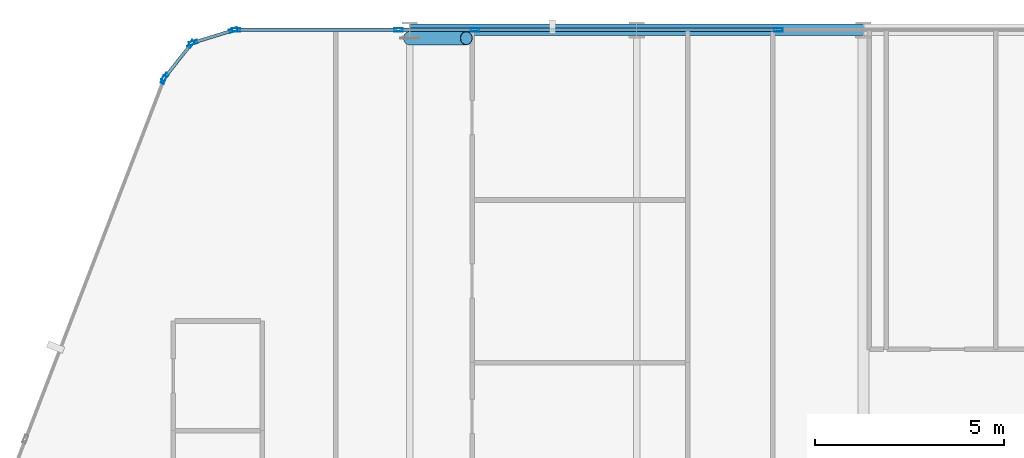
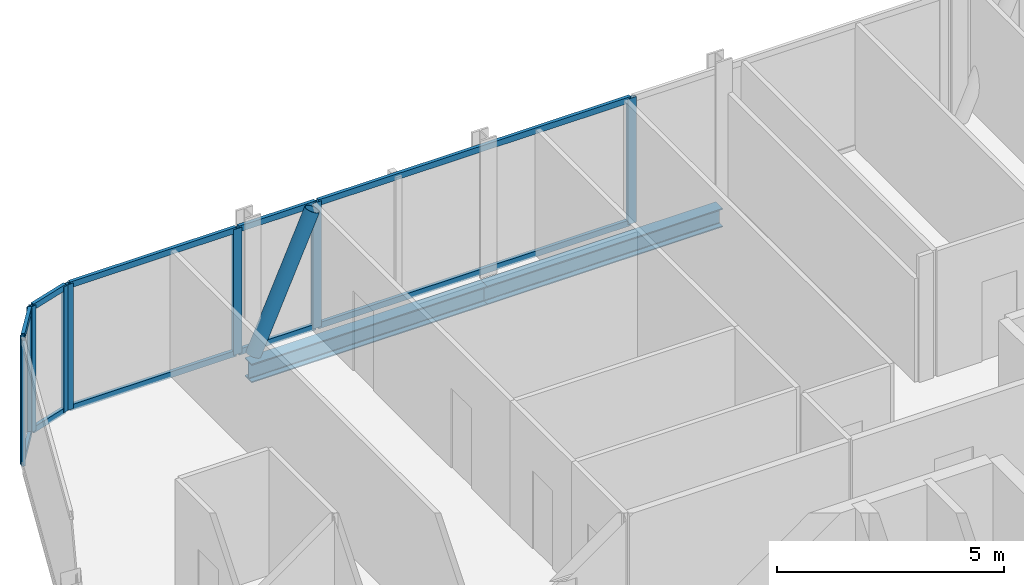
# One storey, part 13 of 35: 20 members, 2 beams, 6 elements without a shape of their own.
"""IFC4 building model written with IfcOpenShell, lengths in metres."""

from ifc_helpers import new_model, si_unit, direction, frame, origin, origin_2d, place, context, subcontext, project, spatial, hollow_rectangle, hollow_circle, i_section, extrude, material, layer, layer_set, material_profile, profile_set, type_object, element, aggregate, save


model = new_model("IFC4")

# Units and contexts
model_context = context("Model", 3, precision=1e-05, world=origin(), true_north=direction((0.0, 1.0)))
body_context = subcontext(model_context, "Body", "Model", "MODEL_VIEW")
ifc_project = project(units=[si_unit("LENGTHUNIT", "METRE"), si_unit("AREAUNIT", "SQUARE_METRE"), si_unit("VOLUMEUNIT", "CUBIC_METRE"), si_unit("PLANEANGLEUNIT", "RADIAN"), si_unit("MASSUNIT", "GRAM", prefix="KILO")], contexts=[model_context])

# Site, building, storey
site_placement = place(None, origin())
site = spatial("IfcSite", under=ifc_project, at=site_placement, CompositionType="ELEMENT")
building_placement = place(site_placement, origin())
building = spatial("IfcBuilding", under=site, at=building_placement, Name="Keshet Zoharim Tower", CompositionType="ELEMENT")
storey_placement = place(building_placement, frame((0.0, 0.0, 24.0)))
storey = spatial("IfcBuildingStorey", under=building, at=storey_placement, Name="L04", CompositionType="ELEMENT", Elevation=24.0)

# Beams
ifc_material_1 = material(Name="Steel S355", Category="steel")
ifc_material_profile_1 = material_profile(ifc_material_1, i_section(OverallWidth=0.300048828125, OverallDepth=0.5, WebThickness=0.014404296875, FlangeThickness=0.028076171875, FilletRadius=0.027099609375, at=origin_2d()), Name="HEB500")
ifc_profile_set_1 = profile_set([ifc_material_profile_1], Name="Steel S355")
beam_type = type_object("IfcBeamType", Name="BM-WEB-HB500", PredefinedType="BEAM", material=ifc_profile_set_1)
for number, where, z_axis, x_axis, name in (
    (1, (21.0, 53.89990234375, -0.56494140625), (1.0, 0.0, 0.0), (0.0, 1.0, 0.0), "L04 Primary Girder X-029"),
    (2, (27.0, 53.89990234375, -0.56494140625), (1.0, 0.0, 0.0), (0.0, 1.0, 0.0), "L04 Primary Girder X-030"),
):
    element("IfcBeam", number, at=place(storey_placement, frame(where, z_axis=z_axis, x_axis=x_axis)), inside=storey, type_object=beam_type, Name=name, PredefinedType="BEAM", context=body_context, shape_type="SweptSolid", body=[
        extrude(i_section(OverallWidth=0.300048828125, OverallDepth=0.5, WebThickness=0.014404296875, FlangeThickness=0.028076171875, FilletRadius=0.027099609375, at=origin_2d()), origin(), (0.0, 0.0, 1.0), 6.0),
    ])

# Curtain wall, member
ifc_material_2 = material(Name="Aluminium 6063-T6", Category="aluminium")
ifc_layer_1 = layer(ifc_material_2, 0.179931640625)
ifc_layer_set_1 = layer_set([ifc_layer_1], Name="Aluminium 6063-T6")
curtain_wall_type_1 = type_object("IfcCurtainWallType", Name="CW-SYS-01", PredefinedType="NOTDEFINED", material=ifc_layer_set_1)
curtain_wall_1_placement = place(storey_placement, origin())
curtain_wall_1 = element("IfcCurtainWall", 3, at=curtain_wall_1_placement, inside=storey, type_object=curtain_wall_type_1, Name="L04 Unitised Curtain Wall 04", PredefinedType="NOTDEFINED")
ifc_material_profile_2 = material_profile(ifc_material_2, hollow_rectangle(XDim=0.090087890625, YDim=0.219970703125, WallThickness=0.0048828125, at=origin_2d()), Name="MUL-90x220")
ifc_profile_set_2 = profile_set([ifc_material_profile_2], Name="Aluminium 6063-T6")
member_type_1 = type_object("IfcMemberType", Name="CWM-M22", PredefinedType="MULLION", material=ifc_profile_set_2)
member_1_placement = place(storey_placement, frame((14.494384765625, 52.58544921875, 0.0), z_axis=(0.0, 0.0, 1.0), x_axis=(-0.933341404361, 0.358990003907, 0.0)))
member_1 = element("IfcMember", 4, at=member_1_placement, type_object=member_type_1, Name="CW-01 mullion 4", PredefinedType="MULLION", context=body_context, shape_type="SweptSolid", body=[
    extrude(hollow_rectangle(XDim=0.090087890625, YDim=0.219970703125, WallThickness=0.0048828125, at=origin_2d()), origin(), (0.0, 0.0, 1.0), 3.385009765625),
])
aggregate(curtain_wall_1, [member_1])

# Curtain wall, members
curtain_wall_2_placement = place(storey_placement, origin())
curtain_wall_2 = element("IfcCurtainWall", 5, at=curtain_wall_2_placement, inside=storey, type_object=curtain_wall_type_1, Name="L04 Unitised Curtain Wall 05", PredefinedType="NOTDEFINED")
member_2_placement = place(storey_placement, frame((14.528564453125, 52.6455078125, 0.0), z_axis=(0.0, 0.0, 1.0), x_axis=(-0.785292825205, 0.619124525989, 0.0)))
member_2 = element("IfcMember", 6, at=member_2_placement, type_object=member_type_1, Name="CW-01 mullion 1", PredefinedType="MULLION", context=body_context, shape_type="SweptSolid", body=[
    extrude(hollow_rectangle(XDim=0.090087890625, YDim=0.219970703125, WallThickness=0.0048828125, at=origin_2d()), origin(), (0.0, 0.0, 1.0), 3.385009765625),
])
member_3_placement = place(storey_placement, frame((15.21923828125, 53.521484375, 0.0), z_axis=(0.0, 0.0, 1.0), x_axis=(-0.785292825205, 0.619124525989, 0.0)))
member_3 = element("IfcMember", 7, at=member_3_placement, type_object=member_type_1, Name="CW-01 mullion 2", PredefinedType="MULLION", context=body_context, shape_type="SweptSolid", body=[
    extrude(hollow_rectangle(XDim=0.090087890625, YDim=0.219970703125, WallThickness=0.0048828125, at=origin_2d()), origin(), (0.0, 0.0, 1.0), 3.385009765625),
])

curtain_wall_3_placement = place(storey_placement, origin())
curtain_wall_3 = element("IfcCurtainWall", 8, at=curtain_wall_3_placement, inside=storey, type_object=curtain_wall_type_1, Name="L04 Unitised Curtain Wall 06", PredefinedType="NOTDEFINED")
member_4_placement = place(storey_placement, frame((15.2744140625, 53.559326171875, 0.0), z_axis=(0.0, 0.0, 1.0), x_axis=(-0.295921857984, 0.955212151288, 0.0)))
member_4 = element("IfcMember", 9, at=member_4_placement, type_object=member_type_1, Name="CW-01 mullion 1", PredefinedType="MULLION", context=body_context, shape_type="SweptSolid", body=[
    extrude(hollow_rectangle(XDim=0.090087890625, YDim=0.219970703125, WallThickness=0.0048828125, at=origin_2d()), origin(), (0.0, 0.0, 1.0), 3.385009765625),
])
member_5_placement = place(storey_placement, frame((16.340576171875, 53.8896484375, 0.0), z_axis=(0.0, 0.0, 1.0), x_axis=(-0.295921857984, 0.955212151288, 0.0)))
member_5 = element("IfcMember", 10, at=member_5_placement, type_object=member_type_1, Name="CW-01 mullion 2", PredefinedType="MULLION", context=body_context, shape_type="SweptSolid", body=[
    extrude(hollow_rectangle(XDim=0.090087890625, YDim=0.219970703125, WallThickness=0.0048828125, at=origin_2d()), origin(), (0.0, 0.0, 1.0), 3.385009765625),
])

ifc_layer_2 = layer(ifc_material_2, 0.169921875)
ifc_layer_set_2 = layer_set([ifc_layer_2], Name="Aluminium 6063-T6")
curtain_wall_type_2 = type_object("IfcCurtainWallType", Name="CW-SYS-02", PredefinedType="NOTDEFINED", material=ifc_layer_set_2)
curtain_wall_4_placement = place(storey_placement, origin())
curtain_wall_4 = element("IfcCurtainWall", 11, at=curtain_wall_4_placement, inside=storey, type_object=curtain_wall_type_2, Name="L04 Unitised Curtain Wall 07", PredefinedType="NOTDEFINED")
member_6_placement = place(storey_placement, frame((16.408935546875, 53.89990234375, 0.0), z_axis=(0.0, 0.0, 1.0), x_axis=(0.0, 1.0, 0.0)))
member_6 = element("IfcMember", 12, at=member_6_placement, type_object=member_type_1, Name="CW-02 mullion 1", PredefinedType="MULLION", context=body_context, shape_type="SweptSolid", body=[
    extrude(hollow_rectangle(XDim=0.090087890625, YDim=0.219970703125, WallThickness=0.0048828125, at=origin_2d()), origin(), (0.0, 0.0, 1.0), 3.385009765625),
])
member_7_placement = place(storey_placement, frame((20.702392578125, 53.89990234375, 0.0), z_axis=(0.0, 0.0, 1.0), x_axis=(0.0, 1.0, 0.0)))
member_7 = element("IfcMember", 13, at=member_7_placement, type_object=member_type_1, Name="CW-02 mullion 2", PredefinedType="MULLION", context=body_context, shape_type="SweptSolid", body=[
    extrude(hollow_rectangle(XDim=0.090087890625, YDim=0.219970703125, WallThickness=0.0048828125, at=origin_2d()), origin(), (0.0, 0.0, 1.0), 3.385009765625),
])

# Curtain wall, member
curtain_wall_5_placement = place(storey_placement, origin())
curtain_wall_5 = element("IfcCurtainWall", 14, at=curtain_wall_5_placement, inside=storey, type_object=curtain_wall_type_2, Name="L04 Unitised Curtain Wall 07 Part 2", PredefinedType="NOTDEFINED")
member_8_placement = place(storey_placement, frame((22.7275390625, 53.89990234375, 0.0), z_axis=(0.0, 0.0, 1.0), x_axis=(0.0, 1.0, 0.0)))
member_8 = element("IfcMember", 15, at=member_8_placement, type_object=member_type_1, Name="CW-02 mullion 2", PredefinedType="MULLION", context=body_context, shape_type="SweptSolid", body=[
    extrude(hollow_rectangle(XDim=0.090087890625, YDim=0.219970703125, WallThickness=0.0048828125, at=origin_2d()), origin(), (0.0, 0.0, 1.0), 3.385009765625),
])

curtain_wall_6_placement = place(storey_placement, origin())
curtain_wall_6 = element("IfcCurtainWall", 16, at=curtain_wall_6_placement, inside=storey, type_object=curtain_wall_type_2, Name="L04 Unitised Curtain Wall 07 Part 3", PredefinedType="NOTDEFINED")
member_9_placement = place(storey_placement, frame((30.75, 53.89990234375, 0.0), z_axis=(0.0, 0.0, 1.0), x_axis=(0.0, 1.0, 0.0)))
member_9 = element("IfcMember", 17, at=member_9_placement, type_object=member_type_1, Name="CW-02 mullion 2", PredefinedType="MULLION", context=body_context, shape_type="SweptSolid", body=[
    extrude(hollow_rectangle(XDim=0.090087890625, YDim=0.219970703125, WallThickness=0.0048828125, at=origin_2d()), origin(), (0.0, 0.0, 1.0), 3.385009765625),
])

# Member
ifc_material_profile_3 = material_profile(ifc_material_2, hollow_rectangle(XDim=0.0849609375, YDim=0.159912109375, WallThickness=0.00439453125, at=origin_2d()), Name="TRN-85x160")
ifc_profile_set_3 = profile_set([ifc_material_profile_3], Name="Aluminium 6063-T6")
member_type_2 = type_object("IfcMemberType", Name="CWT-T16", PredefinedType="USERDEFINED", material=ifc_profile_set_3)
member_10_placement = place(storey_placement, frame((14.55029296875, 52.6728515625, 0.034912109375), z_axis=(0.619099165969, 0.78531281837, 0.0), x_axis=(-0.78531281837, 0.619099165969, 0.0)))
member_10 = element("IfcMember", 18, at=member_10_placement, type_object=member_type_2, Name="CW-01 transom 1.1", ObjectType="TRANSOM", PredefinedType="USERDEFINED", context=body_context, shape_type="SweptSolid", body=[
    extrude(hollow_rectangle(XDim=0.0849609375, YDim=0.159912109375, WallThickness=0.00439453125, at=origin_2d()), origin(), (0.0, 0.0, 1.0), 1.0458984375),
])

member_11_placement = place(storey_placement, frame((14.55029296875, 52.6728515625, 3.35009765625), z_axis=(0.619099165969, 0.78531281837, 0.0), x_axis=(-0.78531281837, 0.619099165969, 0.0)))
member_11 = element("IfcMember", 19, at=member_11_placement, type_object=member_type_2, Name="CW-01 transom 1.2", ObjectType="TRANSOM", PredefinedType="USERDEFINED", context=body_context, shape_type="SweptSolid", body=[
    extrude(hollow_rectangle(XDim=0.0849609375, YDim=0.159912109375, WallThickness=0.00439453125, at=origin_2d()), origin(), (0.0, 0.0, 1.0), 1.0458984375),
])

aggregate(curtain_wall_2, [member_2, member_3, member_10, member_11])

member_12_placement = place(storey_placement, frame((15.307861328125, 53.56982421875, 0.034912109375), z_axis=(0.955212093062, 0.295922045933, 0.0), x_axis=(-0.295922045933, 0.955212093062, 0.0)))
member_12 = element("IfcMember", 20, at=member_12_placement, type_object=member_type_2, Name="CW-01 transom 1.1", ObjectType="TRANSOM", PredefinedType="USERDEFINED", context=body_context, shape_type="SweptSolid", body=[
    extrude(hollow_rectangle(XDim=0.0849609375, YDim=0.159912109375, WallThickness=0.00439453125, at=origin_2d()), origin(), (0.0, 0.0, 1.0), 1.046142578125),
])

member_13_placement = place(storey_placement, frame((15.307861328125, 53.56982421875, 3.35009765625), z_axis=(0.955212093062, 0.295922045933, 0.0), x_axis=(-0.295922045933, 0.955212093062, 0.0)))
member_13 = element("IfcMember", 21, at=member_13_placement, type_object=member_type_2, Name="CW-01 transom 1.2", ObjectType="TRANSOM", PredefinedType="USERDEFINED", context=body_context, shape_type="SweptSolid", body=[
    extrude(hollow_rectangle(XDim=0.0849609375, YDim=0.159912109375, WallThickness=0.00439453125, at=origin_2d()), origin(), (0.0, 0.0, 1.0), 1.046142578125),
])

aggregate(curtain_wall_3, [member_4, member_5, member_12, member_13])

member_14_placement = place(storey_placement, frame((16.444091796875, 53.89990234375, 0.034912109375), z_axis=(1.0, 0.0, 0.0), x_axis=(0.0, 1.0, 0.0)))
member_14 = element("IfcMember", 22, at=member_14_placement, type_object=member_type_2, Name="CW-02 transom 1.1", ObjectType="TRANSOM", PredefinedType="USERDEFINED", context=body_context, shape_type="SweptSolid", body=[
    extrude(hollow_rectangle(XDim=0.0849609375, YDim=0.159912109375, WallThickness=0.00439453125, at=origin_2d()), origin(), (0.0, 0.0, 1.0), 4.223388671875),
])

member_15_placement = place(storey_placement, frame((16.444091796875, 53.89990234375, 3.35009765625), z_axis=(1.0, 0.0, 0.0), x_axis=(0.0, 1.0, 0.0)))
member_15 = element("IfcMember", 23, at=member_15_placement, type_object=member_type_2, Name="CW-02 transom 1.2", ObjectType="TRANSOM", PredefinedType="USERDEFINED", context=body_context, shape_type="SweptSolid", body=[
    extrude(hollow_rectangle(XDim=0.0849609375, YDim=0.159912109375, WallThickness=0.00439453125, at=origin_2d()), origin(), (0.0, 0.0, 1.0), 4.223388671875),
])

aggregate(curtain_wall_4, [member_6, member_7, member_14, member_15])

member_16_placement = place(storey_placement, frame((20.7373046875, 53.89990234375, 0.034912109375), z_axis=(1.0, 0.0, 0.0), x_axis=(0.0, 1.0, 0.0)))
member_16 = element("IfcMember", 24, at=member_16_placement, type_object=member_type_2, Name="CW-02 transom 1.1", ObjectType="TRANSOM", PredefinedType="USERDEFINED", context=body_context, shape_type="SweptSolid", body=[
    extrude(hollow_rectangle(XDim=0.0849609375, YDim=0.159912109375, WallThickness=0.00439453125, at=origin_2d()), origin(), (0.0, 0.0, 1.0), 1.955322265625),
])

member_17_placement = place(storey_placement, frame((20.7373046875, 53.89990234375, 3.35009765625), z_axis=(1.0, 0.0, 0.0), x_axis=(0.0, 1.0, 0.0)))
member_17 = element("IfcMember", 25, at=member_17_placement, type_object=member_type_2, Name="CW-02 transom 1.2", ObjectType="TRANSOM", PredefinedType="USERDEFINED", context=body_context, shape_type="SweptSolid", body=[
    extrude(hollow_rectangle(XDim=0.0849609375, YDim=0.159912109375, WallThickness=0.00439453125, at=origin_2d()), origin(), (0.0, 0.0, 1.0), 1.955322265625),
])

aggregate(curtain_wall_5, [member_8, member_16, member_17])

member_18_placement = place(storey_placement, frame((22.7626953125, 53.89990234375, 0.034912109375), z_axis=(1.0, 0.0, 0.0), x_axis=(0.0, 1.0, 0.0)))
member_18 = element("IfcMember", 26, at=member_18_placement, type_object=member_type_2, Name="CW-02 transom 1.1", ObjectType="TRANSOM", PredefinedType="USERDEFINED", context=body_context, shape_type="SweptSolid", body=[
    extrude(hollow_rectangle(XDim=0.0849609375, YDim=0.159912109375, WallThickness=0.00439453125, at=origin_2d()), origin(), (0.0, 0.0, 1.0), 7.952392578125),
])

member_19_placement = place(storey_placement, frame((22.7626953125, 53.89990234375, 3.35009765625), z_axis=(1.0, 0.0, 0.0), x_axis=(0.0, 1.0, 0.0)))
member_19 = element("IfcMember", 27, at=member_19_placement, type_object=member_type_2, Name="CW-02 transom 1.2", ObjectType="TRANSOM", PredefinedType="USERDEFINED", context=body_context, shape_type="SweptSolid", body=[
    extrude(hollow_rectangle(XDim=0.0849609375, YDim=0.159912109375, WallThickness=0.00439453125, at=origin_2d()), origin(), (0.0, 0.0, 1.0), 7.952392578125),
])

aggregate(curtain_wall_6, [member_9, member_18, member_19])

ifc_material_profile_4 = material_profile(ifc_material_1, hollow_circle(Radius=0.177734375, WallThickness=0.012451171875, at=origin_2d()), Name="CHS355x12.5")
ifc_profile_set_4 = profile_set([ifc_material_profile_4], Name="Steel S355")
member_type_3 = type_object("IfcMemberType", Name="MB-BR-C355", PredefinedType="BRACE", material=ifc_profile_set_4)
member_20_placement = place(storey_placement, frame((21.0, 53.679931640625, 0.0), z_axis=(0.405134846829, 0.0, 0.91425694194), x_axis=(0.0, 1.0, 0.0)))
element("IfcMember", 28, at=member_20_placement, inside=storey, type_object=member_type_3, Name="L04 Perimeter Tube Brace 01", PredefinedType="BRACE", context=body_context, shape_type="SweptSolid", body=[
    extrude(hollow_circle(Radius=0.177734375, WallThickness=0.012451171875, at=origin_2d()), origin(), (0.0, 0.0, 1.0), 3.702392578125),
])

save(model, "model.ifc")
